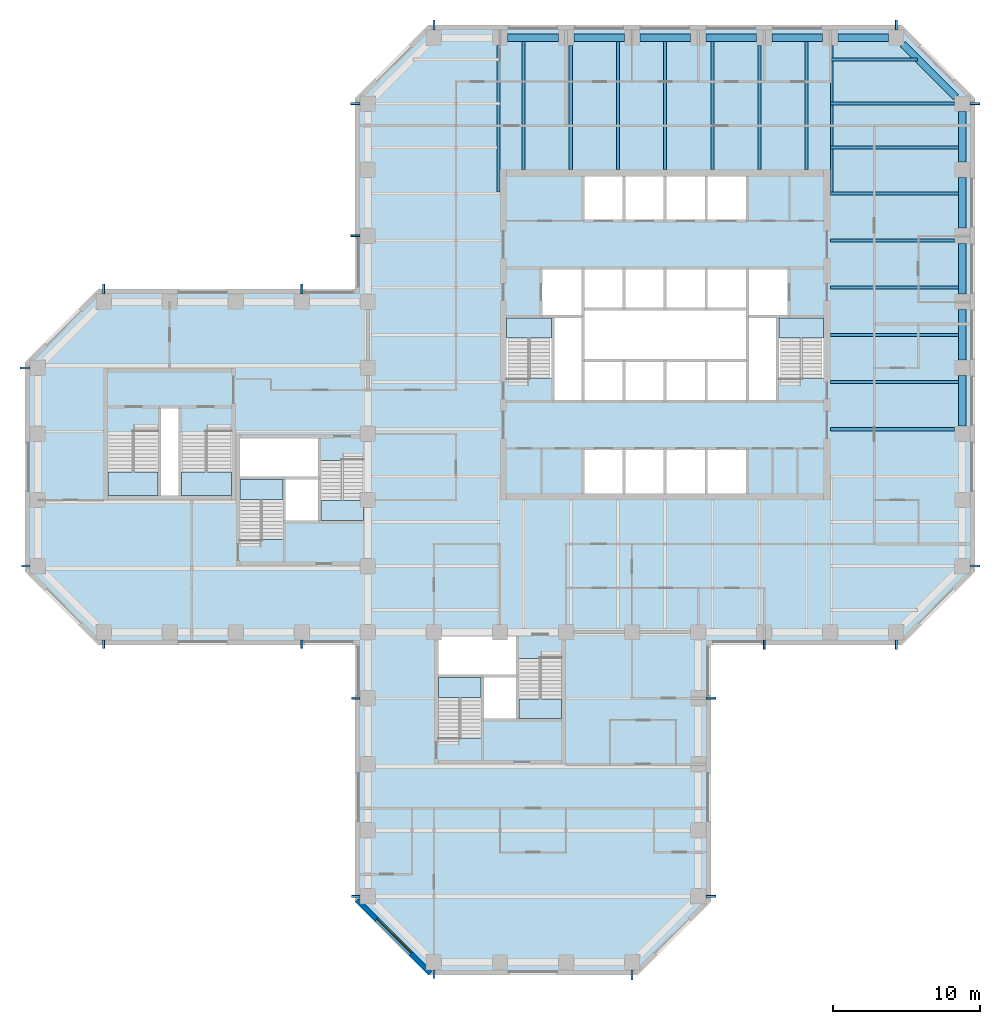
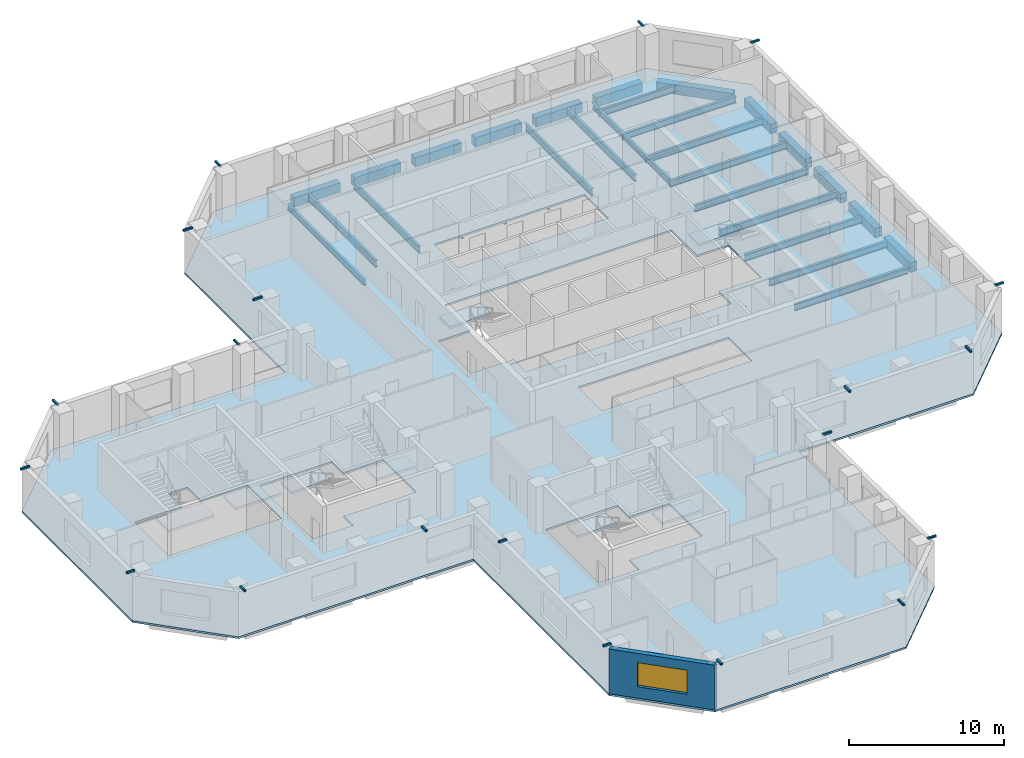
# One storey, part 2 of 11: 50 beams, 9 slabs, 1 wall, 1 window, 1 opening, 8 elements without a shape of their own.
"""IFC4 building model written with IfcOpenShell, lengths in metres."""

from ifc_helpers import new_model, si_unit, direction, frame, frame_2d, origin, origin_2d, place, context, subcontext, project, spatial, polyline, rectangle, hollow_rectangle, i_section, outline, extrude, material, layer, layer_set, constituent, constituent_set, material_profile, profile_set, type_object, element, fill, aggregate, save


model = new_model("IFC4")

# Units and contexts
model_context = context("Model", 3, precision=1e-05, world=origin(), true_north=direction((0.0, 1.0)))
body_context = subcontext(model_context, "Body", "Model", "MODEL_VIEW")
ifc_project = project(units=[si_unit("LENGTHUNIT", "METRE"), si_unit("AREAUNIT", "SQUARE_METRE"), si_unit("VOLUMEUNIT", "CUBIC_METRE"), si_unit("PLANEANGLEUNIT", "RADIAN"), si_unit("MASSUNIT", "GRAM", prefix="KILO")], contexts=[model_context])

# Site, building, storey
site_placement = place(None, origin())
site = spatial("IfcSite", under=ifc_project, at=site_placement, CompositionType="ELEMENT")
building_placement = place(site_placement, origin())
building = spatial("IfcBuilding", under=site, at=building_placement, Name="Quoin Convention Tower", CompositionType="ELEMENT")
storey_placement = place(building_placement, frame((0.0, 0.0, 93.699951171875)))
storey = spatial("IfcBuildingStorey", under=building, at=storey_placement, Name="L24", CompositionType="ELEMENT", Elevation=93.699951171875)

# Beams
ifc_material_1 = material(Name="Steel C450L0", Category="steel")
ifc_material_profile_1 = material_profile(ifc_material_1, hollow_rectangle(XDim=0.14990234375, YDim=0.14990234375, WallThickness=0.008056640625, InnerFilletRadius=0.011962890625, OuterFilletRadius=0.02001953125, at=origin_2d()), Name="150x150x8.0SHS")
ifc_profile_set_1 = profile_set([ifc_material_profile_1], Name="Steel C450L0")
beam_type_1 = type_object("IfcBeamType", Name="150x150x8.0SHS", PredefinedType="BEAM", material=ifc_profile_set_1)
beam_1_placement = place(storey_placement, frame((12.97509765625, 58.5, 3.625), z_axis=(-1.0, 0.0, 0.0), x_axis=(0.0, -1.0, 0.0)))
element("IfcBeam", 1, at=beam_1_placement, inside=storey, type_object=beam_type_1, Name="brk-hi-L21-13500_58500-13500_54000", PredefinedType="BEAM", context=body_context, shape_type="SweptSolid", body=[
    extrude(hollow_rectangle(XDim=0.14990234375, YDim=0.14990234375, WallThickness=0.008056640625, InnerFilletRadius=0.011962890625, OuterFilletRadius=0.02001953125, at=origin_2d()), origin(), (0.0, 0.0, 1.0), 0.675048828125),
])
for number, where, z_axis, x_axis, name in (
    (2, (12.97509765625, 45.0, 3.625), (-1.0, 0.0, 0.0), (0.0, -1.0, 0.0), "brk-hi-L21-13500_49500-13500_45000"),
    (3, (18.0, 39.97509765625, 3.625), (0.0, -1.0, 0.0), (1.0, 0.0, 0.0), "brk-hi-L21-18000_40500-22500_40500"),
    (4, (31.5, 39.97509765625, 3.625), (0.0, -1.0, 0.0), (1.0, 0.0, 0.0), "brk-hi-L21-27000_40500-31500_40500"),
    (5, (35.47509765625, 36.0, 3.625), (-1.0, 0.0, 0.0), (0.0, -1.0, 0.0), "brk-hi-L21-36000_36000-36000_31500"),
    (6, (35.47509765625, 22.5, 3.625), (-1.0, 0.0, 0.0), (0.0, -1.0, 0.0), "brk-hi-L21-36000_27000-36000_22500"),
):
    element("IfcBeam", number, at=place(storey_placement, frame(where, z_axis=z_axis, x_axis=x_axis)), inside=storey, type_object=beam_type_1, Name=name, PredefinedType="BEAM", context=body_context, shape_type="SweptSolid", body=[
        extrude(hollow_rectangle(XDim=0.14990234375, YDim=0.14990234375, WallThickness=0.008056640625, InnerFilletRadius=0.011962890625, OuterFilletRadius=0.02001953125, at=origin_2d()), origin(), (0.0, 0.0, 1.0), 0.5751953125),
    ])
for number, where, z_axis, x_axis, name in (
    (7, (31.5, 63.52490234375, 3.625), (0.0, 1.0, 0.0), (-1.0, 0.0, 0.0), "brk-hi-L21-31500_63000-27000_63000"),
    (8, (18.0, 63.52490234375, 3.625), (0.0, 1.0, 0.0), (-1.0, 0.0, 0.0), "brk-hi-L21-22500_63000-18000_63000"),
    (9, (35.47509765625, 76.5, 3.625), (-1.0, 0.0, 0.0), (0.0, -1.0, 0.0), "brk-hi-L21-36000_76500-36000_72000"),
    (10, (35.47509765625, 67.5, 3.625), (-1.0, 0.0, 0.0), (0.0, -1.0, 0.0), "brk-hi-L21-36000_72000-36000_67500"),
):
    element("IfcBeam", number, at=place(storey_placement, frame(where, z_axis=z_axis, x_axis=x_axis)), inside=storey, type_object=beam_type_1, Name=name, PredefinedType="BEAM", context=body_context, shape_type="SweptSolid", body=[
        extrude(hollow_rectangle(XDim=0.14990234375, YDim=0.14990234375, WallThickness=0.008056640625, InnerFilletRadius=0.011962890625, OuterFilletRadius=0.02001953125, at=origin_2d()), origin(), (0.0, 0.0, 1.0), 0.675048828125),
    ])
beam_2_placement = place(storey_placement, frame((40.5, 17.47509765625, 3.625), z_axis=(0.0, -1.0, 0.0), x_axis=(1.0, 0.0, 0.0)))
element("IfcBeam", 11, at=beam_2_placement, inside=storey, type_object=beam_type_1, Name="brk-hi-L21-40500_18000-45000_18000", PredefinedType="BEAM", context=body_context, shape_type="SweptSolid", body=[
    extrude(hollow_rectangle(XDim=0.14990234375, YDim=0.14990234375, WallThickness=0.008056640625, InnerFilletRadius=0.011962890625, OuterFilletRadius=0.02001953125, at=origin_2d()), origin(), (0.0, 0.0, 1.0), 0.5751953125),
])
for number, where, z_axis, x_axis, name in (
    (12, (54.0, 17.47509765625, 3.625), (0.0, -1.0, 0.0), (1.0, 0.0, 0.0), "brk-hi-L21-49500_18000-54000_18000"),
    (13, (59.02490234375, 22.5, 3.625), (1.0, 0.0, 0.0), (0.0, 1.0, 0.0), "brk-hi-L21-58500_22500-58500_27000"),
    (14, (59.02490234375, 36.0, 3.625), (1.0, 0.0, 0.0), (0.0, 1.0, 0.0), "brk-hi-L21-58500_31500-58500_36000"),
    (15, (63.0, 39.97509765625, 3.625), (0.0, -1.0, 0.0), (1.0, 0.0, 0.0), "brk-hi-L21-63000_40500-67500_40500"),
    (16, (72.0, 39.97509765625, 3.625), (0.0, -1.0, 0.0), (1.0, 0.0, 0.0), "brk-hi-L21-67500_40500-72000_40500"),
    (17, (72.0, 81.52490234375, 3.625), (0.0, 1.0, 0.0), (-1.0, 0.0, 0.0), "brk-hi-L21-72000_81000-67500_81000"),
    (18, (40.5, 81.52490234375, 3.625), (0.0, 1.0, 0.0), (-1.0, 0.0, 0.0), "brk-hi-L21-45000_81000-40500_81000"),
    (19, (77.02490234375, 45.0, 3.625), (1.0, 0.0, 0.0), (0.0, 1.0, 0.0), "brk-hi-L21-76500_45000-76500_49500"),
    (20, (77.02490234375, 76.5, 3.625), (1.0, 0.0, 0.0), (0.0, 1.0, 0.0), "brk-hi-L21-76500_72000-76500_76500"),
):
    element("IfcBeam", number, at=place(storey_placement, frame(where, z_axis=z_axis, x_axis=x_axis)), inside=storey, type_object=beam_type_1, Name=name, PredefinedType="BEAM", context=body_context, shape_type="SweptSolid", body=[
        extrude(hollow_rectangle(XDim=0.14990234375, YDim=0.14990234375, WallThickness=0.008056640625, InnerFilletRadius=0.011962890625, OuterFilletRadius=0.02001953125, at=origin_2d()), origin(), (0.0, 0.0, 1.0), 0.675048828125),
    ])
ifc_material_2 = material(Name="Steel Grade 300", Category="steel")
ifc_material_profile_2 = material_profile(ifc_material_2, i_section(OverallWidth=0.18994140625, OverallDepth=0.4541015625, WebThickness=0.008544921875, FlangeThickness=0.0126953125, FilletRadius=0.011474609375, at=origin_2d()), Name="460UB67.1")
ifc_profile_set_2 = profile_set([ifc_material_profile_2], Name="Steel Grade 300")
beam_type_2 = type_object("IfcBeamType", Name="460UB67.1", PredefinedType="BEAM", material=ifc_profile_set_2)
for number, where, z_axis, x_axis, name in (
    (21, (44.8955078125, 80.47509765625, -0.376953125), (0.0, -1.0, 0.0), (1.0, 0.0, 0.0), "gir-L24-T1NW"),
    (22, (67.6044921875, 80.47509765625, -0.376953125), (0.0, -1.0, 0.0), (1.0, 0.0, 0.0), "gir-L24-T1NE"),
):
    element("IfcBeam", number, at=place(storey_placement, frame(where, z_axis=z_axis, x_axis=x_axis)), inside=storey, type_object=beam_type_2, Name=name, PredefinedType="BEAM", context=body_context, shape_type="SweptSolid", body=[
        extrude(i_section(OverallWidth=0.18994140625, OverallDepth=0.4541015625, WebThickness=0.008544921875, FlangeThickness=0.0126953125, FilletRadius=0.011474609375, at=origin_2d()), origin(), (0.0, 0.0, 1.0), 9.977783203125),
    ])
ifc_material_profile_3 = material_profile(ifc_material_2, i_section(OverallWidth=0.208984375, OverallDepth=0.528076171875, WebThickness=0.009521484375, FlangeThickness=0.01318359375, FilletRadius=0.013916015625, at=origin_2d()), Name="530UB82.0")
ifc_profile_set_3 = profile_set([ifc_material_profile_3], Name="Steel Grade 300")
beam_type_3 = type_object("IfcBeamType", Name="530UB82.0", PredefinedType="BEAM", material=ifc_profile_set_3)
beam_3_placement = place(storey_placement, frame((67.5, 54.3212890625, -0.4140625), z_axis=(1.0, 0.0, 0.0), x_axis=(0.0, 1.0, 0.0)))
element("IfcBeam", 23, at=beam_3_placement, inside=storey, type_object=beam_type_3, Name="bm-L24-T1E1", PredefinedType="BEAM", context=body_context, shape_type="SweptSolid", body=[
    extrude(i_section(OverallWidth=0.208984375, OverallDepth=0.528076171875, WebThickness=0.009521484375, FlangeThickness=0.01318359375, FilletRadius=0.013916015625, at=origin_2d()), origin(), (0.0, 0.0, 1.0), 8.47509765625),
])
for number, where, z_axis, x_axis, name in (
    (24, (67.5, 57.53564453125, -0.4140625), (1.0, 0.0, 0.0), (0.0, 1.0, 0.0), "bm-L24-T1E2"),
    (25, (67.5, 60.75, -0.4140625), (1.0, 0.0, 0.0), (0.0, 1.0, 0.0), "bm-L24-T1E3"),
    (26, (67.5, 63.96435546875, -0.4140625), (1.0, 0.0, 0.0), (0.0, 1.0, 0.0), "bm-L24-T1E4"),
):
    element("IfcBeam", number, at=place(storey_placement, frame(where, z_axis=z_axis, x_axis=x_axis)), inside=storey, type_object=beam_type_3, Name=name, PredefinedType="BEAM", context=body_context, shape_type="SweptSolid", body=[
        extrude(i_section(OverallWidth=0.208984375, OverallDepth=0.528076171875, WebThickness=0.009521484375, FlangeThickness=0.01318359375, FilletRadius=0.013916015625, at=origin_2d()), origin(), (0.0, 0.0, 1.0), 8.75),
    ])
beam_4_placement = place(storey_placement, frame((67.5, 67.1787109375, -0.4140625), z_axis=(1.0, 0.0, 0.0), x_axis=(0.0, 1.0, 0.0)))
element("IfcBeam", 27, at=beam_4_placement, inside=storey, type_object=beam_type_3, Name="bm-L24-T1E5", PredefinedType="BEAM", context=body_context, shape_type="SweptSolid", body=[
    extrude(i_section(OverallWidth=0.208984375, OverallDepth=0.528076171875, WebThickness=0.009521484375, FlangeThickness=0.01318359375, FilletRadius=0.013916015625, at=origin_2d()), origin(), (0.0, 0.0, 1.0), 8.47509765625),
])
for number, where, z_axis, x_axis, name in (
    (28, (67.5, 70.392822265625, -0.4140625), (1.0, 0.0, 0.0), (0.0, 1.0, 0.0), "bm-L24-T1E6"),
    (29, (46.607177734375, 72.0, -0.4140625), (0.0, 1.0, 0.0), (-1.0, 0.0, 0.0), "bm-L24-T1N0"),
):
    element("IfcBeam", number, at=place(storey_placement, frame(where, z_axis=z_axis, x_axis=x_axis)), inside=storey, type_object=beam_type_3, Name=name, PredefinedType="BEAM", context=body_context, shape_type="SweptSolid", body=[
        extrude(i_section(OverallWidth=0.208984375, OverallDepth=0.528076171875, WebThickness=0.009521484375, FlangeThickness=0.01318359375, FilletRadius=0.013916015625, at=origin_2d()), origin(), (0.0, 0.0, 1.0), 8.75),
    ])
beam_5_placement = place(storey_placement, frame((49.8212890625, 72.0, -0.4140625), z_axis=(0.0, 1.0, 0.0), x_axis=(-1.0, 0.0, 0.0)))
element("IfcBeam", 30, at=beam_5_placement, inside=storey, type_object=beam_type_3, Name="bm-L24-T1N1", PredefinedType="BEAM", context=body_context, shape_type="SweptSolid", body=[
    extrude(i_section(OverallWidth=0.208984375, OverallDepth=0.528076171875, WebThickness=0.009521484375, FlangeThickness=0.01318359375, FilletRadius=0.013916015625, at=origin_2d()), origin(), (0.0, 0.0, 1.0), 8.47509765625),
])
for number, where, z_axis, x_axis, name in (
    (31, (53.03564453125, 72.0, -0.4140625), (0.0, 1.0, 0.0), (-1.0, 0.0, 0.0), "bm-L24-T1N2"),
    (32, (56.25, 72.0, -0.4140625), (0.0, 1.0, 0.0), (-1.0, 0.0, 0.0), "bm-L24-T1N3"),
    (33, (59.46435546875, 72.0, -0.4140625), (0.0, 1.0, 0.0), (-1.0, 0.0, 0.0), "bm-L24-T1N4"),
):
    element("IfcBeam", number, at=place(storey_placement, frame(where, z_axis=z_axis, x_axis=x_axis)), inside=storey, type_object=beam_type_3, Name=name, PredefinedType="BEAM", context=body_context, shape_type="SweptSolid", body=[
        extrude(i_section(OverallWidth=0.208984375, OverallDepth=0.528076171875, WebThickness=0.009521484375, FlangeThickness=0.01318359375, FilletRadius=0.013916015625, at=origin_2d()), origin(), (0.0, 0.0, 1.0), 8.75),
    ])
beam_6_placement = place(storey_placement, frame((62.6787109375, 72.0, -0.4140625), z_axis=(0.0, 1.0, 0.0), x_axis=(-1.0, 0.0, 0.0)))
element("IfcBeam", 34, at=beam_6_placement, inside=storey, type_object=beam_type_3, Name="bm-L24-T1N5", PredefinedType="BEAM", context=body_context, shape_type="SweptSolid", body=[
    extrude(i_section(OverallWidth=0.208984375, OverallDepth=0.528076171875, WebThickness=0.009521484375, FlangeThickness=0.01318359375, FilletRadius=0.013916015625, at=origin_2d()), origin(), (0.0, 0.0, 1.0), 8.47509765625),
])
beam_7_placement = place(storey_placement, frame((65.892822265625, 72.0, -0.4140625), z_axis=(0.0, 1.0, 0.0), x_axis=(-1.0, 0.0, 0.0)))
element("IfcBeam", 35, at=beam_7_placement, inside=storey, type_object=beam_type_3, Name="bm-L24-T1N6", PredefinedType="BEAM", context=body_context, shape_type="SweptSolid", body=[
    extrude(i_section(OverallWidth=0.208984375, OverallDepth=0.528076171875, WebThickness=0.009521484375, FlangeThickness=0.01318359375, FilletRadius=0.013916015625, at=origin_2d()), origin(), (0.0, 0.0, 1.0), 8.75),
])
beam_8_placement = place(storey_placement, frame((67.5, 79.5, -0.4140625), z_axis=(1.0, 0.0, 0.0), x_axis=(0.0, 1.0, 0.0)))
element("IfcBeam", 36, at=beam_8_placement, inside=storey, type_object=beam_type_3, Name="bm-L24-T1NE0", PredefinedType="BEAM", context=body_context, shape_type="SweptSolid", body=[
    extrude(i_section(OverallWidth=0.208984375, OverallDepth=0.528076171875, WebThickness=0.009521484375, FlangeThickness=0.01318359375, FilletRadius=0.013916015625, at=origin_2d()), origin(), (0.0, 0.0, 1.0), 5.927734375),
])
beam_9_placement = place(storey_placement, frame((67.5, 76.5, -0.4140625), z_axis=(1.0, 0.0, 0.0), x_axis=(0.0, 1.0, 0.0)))
element("IfcBeam", 37, at=beam_9_placement, inside=storey, type_object=beam_type_3, Name="bm-L24-T1NE1", PredefinedType="BEAM", context=body_context, shape_type="SweptSolid", body=[
    extrude(i_section(OverallWidth=0.208984375, OverallDepth=0.528076171875, WebThickness=0.009521484375, FlangeThickness=0.01318359375, FilletRadius=0.013916015625, at=origin_2d()), origin(), (0.0, 0.0, 1.0), 8.47509765625),
])
beam_10_placement = place(storey_placement, frame((67.5, 73.5, -0.4140625), z_axis=(1.0, 0.0, 0.0), x_axis=(0.0, 1.0, 0.0)))
element("IfcBeam", 38, at=beam_10_placement, inside=storey, type_object=beam_type_3, Name="bm-L24-T1NE2", PredefinedType="BEAM", context=body_context, shape_type="SweptSolid", body=[
    extrude(i_section(OverallWidth=0.208984375, OverallDepth=0.528076171875, WebThickness=0.009521484375, FlangeThickness=0.01318359375, FilletRadius=0.013916015625, at=origin_2d()), origin(), (0.0, 0.0, 1.0), 8.75),
])
ifc_material_3 = material(Name="Concrete C65", Category="concrete")
ifc_material_profile_4 = material_profile(ifc_material_3, rectangle(XDim=0.5, YDim=0.75, at=origin_2d()), Name="RC 500x750")
ifc_profile_set_4 = profile_set([ifc_material_profile_4], Name="Concrete C65")
beam_type_4 = type_object("IfcBeamType", Name="RC 500x750 C65", PredefinedType="SPANDREL", material=ifc_profile_set_4)
for number, where, z_axis, x_axis, name in (
    (39, (76.5, 54.52490234375, -0.52490234375), (0.0, 1.0, 0.0), (-1.0, 0.0, 0.0), "spd-L24-76500_54000-76500_58500"),
    (40, (76.5, 59.02490234375, -0.52490234375), (0.0, 1.0, 0.0), (-1.0, 0.0, 0.0), "spd-L24-76500_58500-76500_63000"),
    (41, (76.5, 63.52490234375, -0.52490234375), (0.0, 1.0, 0.0), (-1.0, 0.0, 0.0), "spd-L24-76500_63000-76500_67500"),
    (42, (76.5, 68.02490234375, -0.52490234375), (0.0, 1.0, 0.0), (-1.0, 0.0, 0.0), "spd-L24-76500_67500-76500_72000"),
    (43, (76.5, 72.52490234375, -0.52490234375), (0.0, 1.0, 0.0), (-1.0, 0.0, 0.0), "spd-L24-76500_72000-76500_76500"),
):
    element("IfcBeam", number, at=place(storey_placement, frame(where, z_axis=z_axis, x_axis=x_axis)), inside=storey, type_object=beam_type_4, Name=name, PredefinedType="SPANDREL", context=body_context, shape_type="SweptSolid", body=[
        extrude(rectangle(XDim=0.5, YDim=0.75, at=origin_2d()), origin(), (0.0, 0.0, 1.0), 3.4501953125),
    ])
beam_11_placement = place(storey_placement, frame((76.059814453125, 76.940185546875, -0.52490234375), z_axis=(-0.707106781187, 0.707106781187, 0.0), x_axis=(-0.707106781187, -0.707106781187, 0.0)))
element("IfcBeam", 44, at=beam_11_placement, inside=storey, type_object=beam_type_4, Name="spd-L24-76500_76500-72000_81000", PredefinedType="SPANDREL", context=body_context, shape_type="SweptSolid", body=[
    extrude(rectangle(XDim=0.5, YDim=0.75, at=origin_2d()), origin(), (0.0, 0.0, 1.0), 5.118896484375),
])
for number, where, z_axis, x_axis, name in (
    (45, (71.47509765625, 81.0, -0.52490234375), (-1.0, 0.0, 0.0), (0.0, -1.0, 0.0), "spd-L24-72000_81000-67500_81000"),
    (46, (66.97509765625, 81.0, -0.52490234375), (-1.0, 0.0, 0.0), (0.0, -1.0, 0.0), "spd-L24-67500_81000-63000_81000"),
    (47, (62.47509765625, 81.0, -0.52490234375), (-1.0, 0.0, 0.0), (0.0, -1.0, 0.0), "spd-L24-63000_81000-58500_81000"),
    (48, (57.97509765625, 81.0, -0.52490234375), (-1.0, 0.0, 0.0), (0.0, -1.0, 0.0), "spd-L24-58500_81000-54000_81000"),
    (49, (53.47509765625, 81.0, -0.52490234375), (-1.0, 0.0, 0.0), (0.0, -1.0, 0.0), "spd-L24-54000_81000-49500_81000"),
    (50, (48.97509765625, 81.0, -0.52490234375), (-1.0, 0.0, 0.0), (0.0, -1.0, 0.0), "spd-L24-49500_81000-45000_81000"),
):
    element("IfcBeam", number, at=place(storey_placement, frame(where, z_axis=z_axis, x_axis=x_axis)), inside=storey, type_object=beam_type_4, Name=name, PredefinedType="SPANDREL", context=body_context, shape_type="SweptSolid", body=[
        extrude(rectangle(XDim=0.5, YDim=0.75, at=origin_2d()), origin(), (0.0, 0.0, 1.0), 3.4501953125),
    ])

# Slab
ifc_material_4 = material(Name="Concrete C40", Category="concrete")
ifc_layer_1 = layer(ifc_material_4, 0.14990234375)
ifc_layer_set_1 = layer_set([ifc_layer_1], Name="Concrete C40")
slab_type_1 = type_object("IfcSlabType", Name="COMPOSITE SLAB 150 C40", PredefinedType="FLOOR", material=ifc_layer_set_1)
slab_1_placement = place(storey_placement, frame((0.0, 0.0, -0.14990234375)))
element("IfcSlab", 51, at=slab_1_placement, inside=storey, type_object=slab_type_1, Name="slb-L24", PredefinedType="FLOOR", context=body_context, shape_type="SweptSolid", body=[
    extrude(outline(polyline([(59.375, 22.1376953125), (54.3623046875, 17.125), (40.1376953125, 17.125), (35.125, 22.1376953125), (35.125, 39.625), (17.6376953125, 39.625), (12.625, 44.6376953125), (12.625, 58.8623046875), (17.6376953125, 63.875), (35.125, 63.875), (35.125, 76.8623046875), (40.1376953125, 81.875), (72.3623046875, 81.875), (77.375, 76.8623046875), (77.375, 44.6376953125), (72.3623046875, 39.625), (59.375, 39.625), (59.375, 22.1376953125)]), holes=[polyline([(40.800048828125, 40.199951171875), (40.800048828125, 37.5), (40.800048828125, 33.300537109375), (43.800048828125, 33.300537109375), (43.800048828125, 34.5), (46.199951171875, 34.5), (49.199951171875, 34.5), (49.199951171875, 38.699462890625), (46.199951171875, 38.699462890625), (46.199951171875, 40.199951171875), (40.800048828125, 40.199951171875)]), polyline([(35.699951171875, 52.199462890625), (32.699951171875, 52.199462890625), (32.699951171875, 53.699951171875), (27.300048828125, 53.699951171875), (27.300048828125, 51.0), (27.300048828125, 46.800537109375), (30.300048828125, 46.800537109375), (30.300048828125, 48.0), (32.699951171875, 48.0), (35.699951171875, 48.0), (35.699951171875, 52.199462890625)]), polyline([(53.449951171875, 49.949951171875), (56.25, 49.949951171875), (59.050048828125, 49.949951171875), (61.85009765625, 49.949951171875), (61.85009765625, 53.0), (59.050048828125, 53.0), (56.25, 53.0), (53.449951171875, 53.0), (50.64990234375, 53.0), (50.64990234375, 49.949951171875), (53.449951171875, 49.949951171875)]), polyline([(21.800048828125, 55.85009765625), (21.800048828125, 54.1494140625), (18.300048828125, 54.1494140625), (18.300048828125, 49.800048828125), (21.800048828125, 49.800048828125), (23.199951171875, 49.800048828125), (26.699951171875, 49.800048828125), (26.699951171875, 54.1494140625), (23.199951171875, 54.1494140625), (23.199951171875, 55.85009765625), (21.800048828125, 55.85009765625)]), polyline([(48.60009765625, 57.800537109375), (48.60009765625, 56.199951171875), (50.64990234375, 56.199951171875), (53.449951171875, 56.199951171875), (56.25, 56.199951171875), (59.050048828125, 56.199951171875), (61.85009765625, 56.199951171875), (63.89990234375, 56.199951171875), (63.89990234375, 57.800537109375), (67.050048828125, 57.800537109375), (67.050048828125, 62.0), (64.699951171875, 62.0), (64.699951171875, 65.300048828125), (61.85009765625, 65.300048828125), (59.050048828125, 65.300048828125), (56.25, 65.300048828125), (53.449951171875, 65.300048828125), (50.64990234375, 65.300048828125), (47.800048828125, 65.300048828125), (47.800048828125, 62.0), (45.449951171875, 62.0), (45.449951171875, 57.800537109375), (48.60009765625, 57.800537109375)]), polyline([(50.64990234375, 68.5), (53.449951171875, 68.5), (56.25, 68.5), (59.050048828125, 68.5), (61.85009765625, 68.5), (61.85009765625, 71.550048828125), (59.050048828125, 71.550048828125), (56.25, 71.550048828125), (53.449951171875, 71.550048828125), (50.64990234375, 71.550048828125), (50.64990234375, 68.5)])]), origin(), (0.0, 0.0, 1.0), 0.14990234375),
])

# Stair, slab
stair_type_1 = type_object("IfcStairType", Name="Exit stair two-flight 1350", PredefinedType="HALF_TURN_STAIR", material=ifc_material_4)
stair_1_placement = place(storey_placement, origin())
stair_1 = element("IfcStair", 52, at=stair_1_placement, inside=storey, type_object=stair_type_1, Name="SD1 L24", PredefinedType="HALF_TURN_STAIR")
ifc_layer_2 = layer(ifc_material_4, 0.199951171875)
ifc_layer_set_2 = layer_set([ifc_layer_2], Name="Concrete C40")
slab_type_2 = type_object("IfcSlabType", Name="Stair landing 200", PredefinedType="LANDING", material=ifc_layer_set_2)
slab_2_placement = place(storey_placement, frame((0.0, 0.0, 1.792236328125)))
slab_2 = element("IfcSlab", 53, at=slab_2_placement, type_object=slab_type_2, Name="ST1 landing 1", PredefinedType="LANDING", context=body_context, shape_type="SweptSolid", body=[
    extrude(outline(polyline([(45.449951171875, 60.550048828125), (48.5, 60.550048828125), (48.5, 61.89990234375), (45.449951171875, 61.89990234375), (45.449951171875, 60.550048828125)])), origin(), (0.0, 0.0, 1.0), 0.2001953125),
])
aggregate(stair_1, [slab_2])

stair_2_placement = place(storey_placement, origin())
stair_2 = element("IfcStair", 54, at=stair_2_placement, inside=storey, type_object=stair_type_1, Name="SD2 L24", PredefinedType="HALF_TURN_STAIR")
slab_3_placement = place(storey_placement, frame((0.0, 0.0, 1.792236328125)))
slab_3 = element("IfcSlab", 55, at=slab_3_placement, type_object=slab_type_2, Name="ST2 landing 1", PredefinedType="LANDING", context=body_context, shape_type="SweptSolid", body=[
    extrude(outline(polyline([(64.0, 60.550048828125), (67.050048828125, 60.550048828125), (67.050048828125, 61.89990234375), (64.0, 61.89990234375), (64.0, 60.550048828125)])), origin(), (0.0, 0.0, 1.0), 0.2001953125),
])
aggregate(stair_2, [slab_3])

stair_3_placement = place(storey_placement, origin())
stair_3 = element("IfcStair", 56, at=stair_3_placement, inside=storey, type_object=stair_type_1, Name="SD3 L24", PredefinedType="HALF_TURN_STAIR")
slab_4_placement = place(storey_placement, frame((0.0, 0.0, 1.792236328125)))
slab_4 = element("IfcSlab", 57, at=slab_4_placement, type_object=slab_type_2, Name="ST3 landing 1", PredefinedType="LANDING", context=body_context, shape_type="SweptSolid", body=[
    extrude(outline(polyline([(27.300048828125, 49.550048828125), (30.199951171875, 49.550048828125), (30.199951171875, 50.89990234375), (27.300048828125, 50.89990234375), (27.300048828125, 49.550048828125)])), origin(), (0.0, 0.0, 1.0), 0.2001953125),
])
aggregate(stair_3, [slab_4])

stair_4_placement = place(storey_placement, origin())
stair_4 = element("IfcStair", 58, at=stair_4_placement, inside=storey, type_object=stair_type_1, Name="SD4 L24", PredefinedType="HALF_TURN_STAIR")
slab_5_placement = place(storey_placement, frame((0.0, 0.0, 1.792236328125)))
slab_5 = element("IfcSlab", 59, at=slab_5_placement, type_object=slab_type_2, Name="ST4 landing 1", PredefinedType="LANDING", context=body_context, shape_type="SweptSolid", body=[
    extrude(outline(polyline([(35.699951171875, 49.449951171875), (32.800048828125, 49.449951171875), (32.800048828125, 48.10009765625), (35.699951171875, 48.10009765625), (35.699951171875, 49.449951171875)])), origin(), (0.0, 0.0, 1.0), 0.2001953125),
])
aggregate(stair_4, [slab_5])

stair_5_placement = place(storey_placement, origin())
stair_5 = element("IfcStair", 60, at=stair_5_placement, inside=storey, type_object=stair_type_1, Name="SD5 L24", PredefinedType="HALF_TURN_STAIR")
slab_6_placement = place(storey_placement, frame((0.0, 0.0, 1.792236328125)))
slab_6 = element("IfcSlab", 61, at=slab_6_placement, type_object=slab_type_2, Name="ST5 landing 1", PredefinedType="LANDING", context=body_context, shape_type="SweptSolid", body=[
    extrude(outline(polyline([(40.800048828125, 36.050048828125), (43.699951171875, 36.050048828125), (43.699951171875, 37.39990234375), (40.800048828125, 37.39990234375), (40.800048828125, 36.050048828125)])), origin(), (0.0, 0.0, 1.0), 0.2001953125),
])
aggregate(stair_5, [slab_6])

stair_6_placement = place(storey_placement, origin())
stair_6 = element("IfcStair", 62, at=stair_6_placement, inside=storey, type_object=stair_type_1, Name="SD6 L24", PredefinedType="HALF_TURN_STAIR")
slab_7_placement = place(storey_placement, frame((0.0, 0.0, 1.792236328125)))
slab_7 = element("IfcSlab", 63, at=slab_7_placement, type_object=slab_type_2, Name="ST6 landing 1", PredefinedType="LANDING", context=body_context, shape_type="SweptSolid", body=[
    extrude(outline(polyline([(49.199951171875, 35.949951171875), (46.300048828125, 35.949951171875), (46.300048828125, 34.60009765625), (49.199951171875, 34.60009765625), (49.199951171875, 35.949951171875)])), origin(), (0.0, 0.0, 1.0), 0.2001953125),
])
aggregate(stair_6, [slab_7])

stair_type_2 = type_object("IfcStairType", Name="Exit stair two-flight 1600", PredefinedType="HALF_TURN_STAIR", material=ifc_material_4)
stair_7_placement = place(storey_placement, origin())
stair_7 = element("IfcStair", 64, at=stair_7_placement, inside=storey, type_object=stair_type_2, Name="SD11 L24", PredefinedType="HALF_TURN_STAIR")
slab_8_placement = place(storey_placement, frame((0.0, 0.0, 1.792236328125)))
slab_8 = element("IfcSlab", 65, at=slab_8_placement, type_object=slab_type_2, Name="ST11 landing 1", PredefinedType="LANDING", context=body_context, shape_type="SweptSolid", body=[
    extrude(outline(polyline([(21.699951171875, 51.39990234375), (18.300048828125, 51.39990234375), (18.300048828125, 49.800048828125), (21.699951171875, 49.800048828125), (21.699951171875, 51.39990234375)])), origin(), (0.0, 0.0, 1.0), 0.2001953125),
])
aggregate(stair_7, [slab_8])

stair_8_placement = place(storey_placement, origin())
stair_8 = element("IfcStair", 66, at=stair_8_placement, inside=storey, type_object=stair_type_2, Name="SD12 L24", PredefinedType="HALF_TURN_STAIR")
slab_9_placement = place(storey_placement, frame((0.0, 0.0, 1.792236328125)))
slab_9 = element("IfcSlab", 67, at=slab_9_placement, type_object=slab_type_2, Name="ST12 landing 1", PredefinedType="LANDING", context=body_context, shape_type="SweptSolid", body=[
    extrude(outline(polyline([(26.699951171875, 51.39990234375), (23.300048828125, 51.39990234375), (23.300048828125, 49.800048828125), (26.699951171875, 49.800048828125), (26.699951171875, 51.39990234375)])), origin(), (0.0, 0.0, 1.0), 0.2001953125),
])
aggregate(stair_8, [slab_9])

# Wall, opening, window
ifc_material_5 = material(Name="Brick masonry", Category="masonry")
ifc_layer_3 = layer(ifc_material_5, 0.35009765625)
ifc_layer_set_3 = layer_set([ifc_layer_3], Name="Brick masonry")
wall_type = type_object("IfcWallType", Name="Brick facade wall", PredefinedType="STANDARD", material=ifc_layer_set_3)
wall_placement = place(storey_placement, frame((35.248779296875, 22.26123046875, 0.0), z_axis=(0.0, 0.0, 1.0), x_axis=(0.707106781187, -0.707106781187, 0.0)))
wall = element("IfcWall", 68, at=wall_placement, inside=storey, type_object=wall_type, Name="fw-L24-36000_22500", PredefinedType="STANDARD", context=body_context, shape_type="SweptSolid", body=[
    extrude(rectangle(XDim=7.088623046875, YDim=0.35009765625, at=frame_2d((3.54443359375, 0.0))), origin(), (0.0, 0.0, 1.0), 3.525146484375),
])
opening_placement = place(wall_placement, frame((1.894287109375, 0.0, 0.89990234375)))
opening = element("IfcOpeningElement", 69, at=opening_placement, cuts=wall, Name="Opening W-02", PredefinedType="OPENING", context=body_context, shape_type="SweptSolid", body=[
    extrude(rectangle(XDim=3.300048828125, YDim=1.89990234375, at=frame_2d((1.64990234375, 0.949951171875))), frame((0.0, 0.18505859375, 0.0), z_axis=(0.0, -1.0, 0.0), x_axis=(1.0, 0.0, 0.0)), (0.0, 0.0, 1.0), 0.3701171875),
])
ifc_material_6 = material(Name="Aluminium", Category="aluminium")
ifc_constituent_1 = constituent(ifc_material_6, Name="Frame")
ifc_material_7 = material(Name="Insulated glass", Category="glass")
ifc_constituent_2 = constituent(ifc_material_7, Name="Glazing")
ifc_constituent_set = constituent_set(constituents=[ifc_constituent_1, ifc_constituent_2], Name="Aluminium")
window_type = type_object("IfcWindowType", Name="Office window", PartitioningType="DOUBLE_PANEL_VERTICAL", PredefinedType="WINDOW", material=ifc_constituent_set)
window_placement = place(opening_placement, origin())
window = element("IfcWindow", 70, at=window_placement, inside=storey, type_object=window_type, Name="win-L24-37755_19755", OverallHeight=1.89990234375, OverallWidth=3.300048828125, PartitioningType="SINGLE_PANEL", PredefinedType="WINDOW", context=body_context, shape_type="SweptSolid", body=[
    extrude(rectangle(XDim=3.300048828125, YDim=1.89990234375, at=frame_2d((1.64990234375, 0.949951171875))), frame((0.0, 0.0849609375, 0.0), z_axis=(0.0, -1.0, 0.0), x_axis=(1.0, 0.0, 0.0)), (0.0, 0.0, 1.0), 0.06005859375),
])
fill(opening, window)

save(model, "model.ifc")
